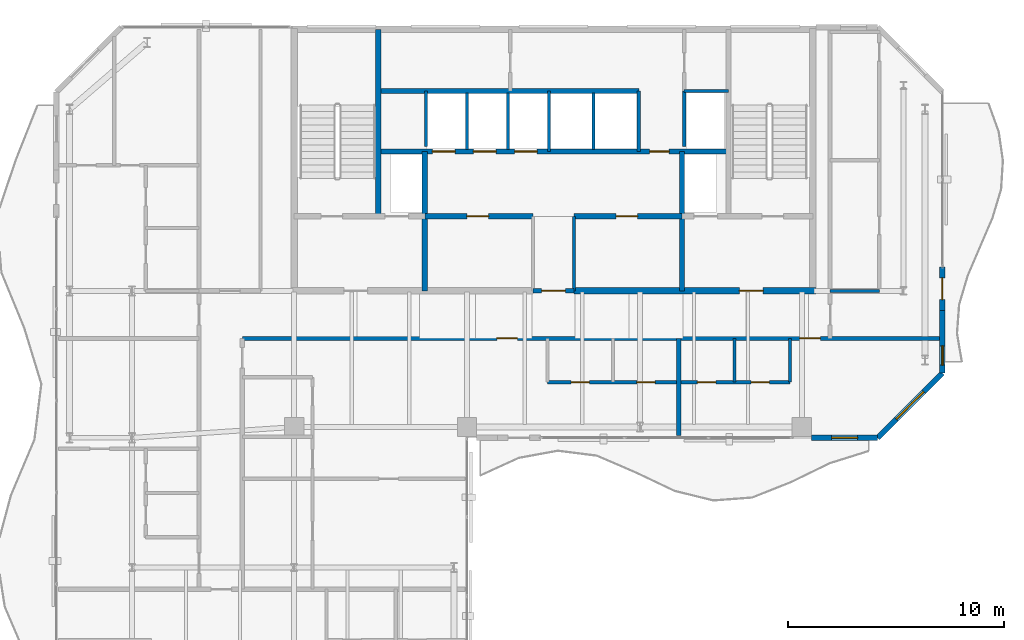
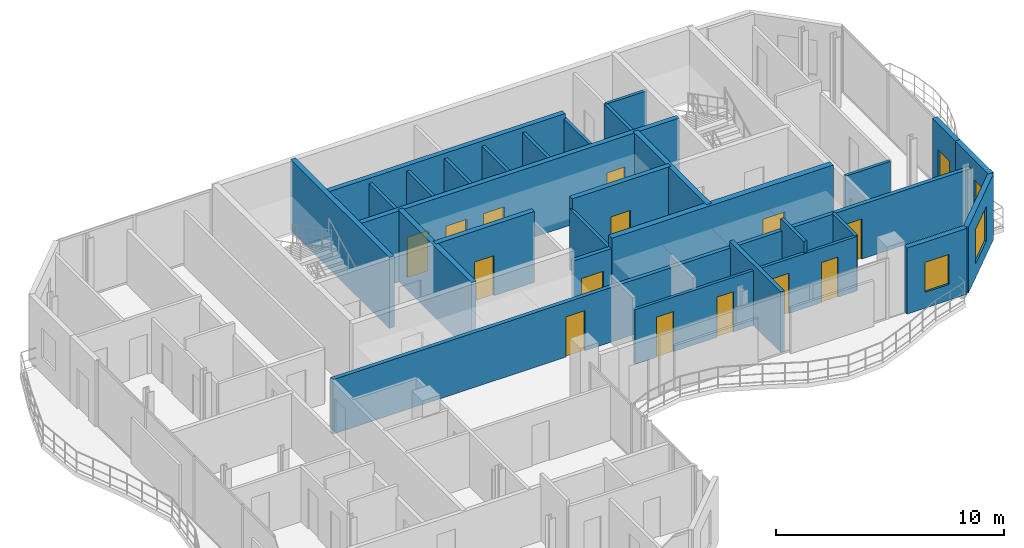
# One storey, part 19 of 22: 28 walls, 15 doors, 3 windows, 18 openings.
"""IFC4 building model written with IfcOpenShell, lengths in metres."""

from ifc_helpers import new_model, si_unit, direction, frame, frame_2d, origin, place, context, subcontext, project, spatial, rectangle, extrude, material, layer, layer_set, type_object, element, fill, save


model = new_model("IFC4")

# Units and contexts
model_context = context("Model", 3, precision=1e-05, world=origin(), true_north=direction((0.0, 1.0)))
body_context = subcontext(model_context, "Body", "Model", "MODEL_VIEW")
ifc_project = project(units=[si_unit("LENGTHUNIT", "METRE"), si_unit("AREAUNIT", "SQUARE_METRE"), si_unit("VOLUMEUNIT", "CUBIC_METRE"), si_unit("PLANEANGLEUNIT", "RADIAN"), si_unit("MASSUNIT", "GRAM", prefix="KILO")], contexts=[model_context])

# Site, building, storey
site_placement = place(None, origin())
site = spatial("IfcSite", under=ifc_project, at=site_placement, CompositionType="ELEMENT")
building_placement = place(site_placement, origin())
building = spatial("IfcBuilding", under=site, at=building_placement, Name="Catumbela Crestline Tower", CompositionType="ELEMENT")
storey_placement = place(building_placement, frame((0.0, 0.0, 218.4)))
storey = spatial("IfcBuildingStorey", under=building, at=storey_placement, Name="L56", CompositionType="ELEMENT", Elevation=218.4)

# Walls
ifc_material_1 = material(Name="Concrete C50/60", Category="concrete")
ifc_layer_1 = layer(ifc_material_1, 0.25, Name="Concrete C50/60")
ifc_layer_set_1 = layer_set([ifc_layer_1], Name="Concrete C50/60")
wall_type_1 = type_object("IfcWallType", Name="CW-250D", PredefinedType="SHEAR", material=ifc_layer_set_1)
wall_1_placement = place(storey_placement, frame((19.9, 34.25, 0.0), z_axis=(0.0, 0.0, 1.0), x_axis=(0.0, 1.0, 0.0)))
element("IfcWall", 1, at=wall_1_placement, inside=storey, type_object=wall_type_1, Name="L56 Structural Core Shear Wall WWEB", PredefinedType="SHEAR", context=body_context, shape_type="SweptSolid", body=[
    extrude(rectangle(XDim=8.65, YDim=0.25, at=frame_2d((4.325, 0.0))), origin(), (0.0, 0.0, 1.0), 3.8),
])
for number, where, z_axis, x_axis, name in (
    (2, (22.05, 30.8, 0.0), (0.0, 0.0, 1.0), (0.0, 1.0, 0.0), "L56 Structural Core Shear Wall FFW"),
    (3, (33.95, 30.8, 0.0), (0.0, 0.0, 1.0), (0.0, 1.0, 0.0), "L56 Structural Core Shear Wall FFE"),
):
    element("IfcWall", number, at=place(storey_placement, frame(where, z_axis=z_axis, x_axis=x_axis)), inside=storey, type_object=wall_type_1, Name=name, PredefinedType="SHEAR", context=body_context, shape_type="SweptSolid", body=[
        extrude(rectangle(XDim=6.45, YDim=0.25, at=frame_2d((3.225, 0.0))), origin(), (0.0, 0.0, 1.0), 3.8),
    ])

# Wall, opening, door
wall_2_placement = place(storey_placement, frame((22.05, 34.25, 0.0), z_axis=(0.0, 0.0, 1.0), x_axis=(1.0, 0.0, 0.0)))
wall_2 = element("IfcWall", 4, at=wall_2_placement, inside=storey, type_object=wall_type_1, Name="L56 Structural Core Shear Wall LIFTS-W", PredefinedType="SHEAR", context=body_context, shape_type="SweptSolid", body=[
    extrude(rectangle(XDim=5.0, YDim=0.25, at=frame_2d((2.5, 0.0))), origin(), (0.0, 0.0, 1.0), 3.8),
])
opening_1_placement = place(wall_2_placement, frame((1.95, 0.0, 0.0)))
opening_1 = element("IfcOpeningElement", 5, at=opening_1_placement, cuts=wall_2, Name="Opening DF9-100", PredefinedType="OPENING", context=body_context, shape_type="SweptSolid", body=[
    extrude(rectangle(XDim=1.0, YDim=2.15, at=frame_2d((0.5, 1.075))), frame((0.0, 0.135, 0.0), z_axis=(0.0, -1.0, 0.0), x_axis=(1.0, 0.0, 0.0)), (0.0, 0.0, 1.0), 0.27),
])
ifc_material_2 = material(Name="Stainless steel EN 1.4401", Category="steel")
door_type_1 = type_object("IfcDoorType", Name="DF9-100", OperationType="NOTDEFINED", PredefinedType="DOOR", material=ifc_material_2)
door_1_placement = place(opening_1_placement, origin())
door_1 = element("IfcDoor", 6, at=door_1_placement, inside=storey, type_object=door_type_1, Name="L56 Interior Door DR-L56-RECL1", OperationType="SINGLE_SWING_LEFT", OverallHeight=2.15, OverallWidth=1.0, PredefinedType="DOOR", context=body_context, shape_type="SweptSolid", body=[
    extrude(rectangle(XDim=1.0, YDim=2.15, at=frame_2d((0.5, 1.075))), frame((0.0, 0.025, 0.0), z_axis=(0.0, -1.0, 0.0), x_axis=(1.0, 0.0, 0.0)), (0.0, 0.0, 1.0), 0.05),
])
fill(opening_1, door_1)

wall_3_placement = place(storey_placement, frame((28.95, 34.25, 0.0), z_axis=(0.0, 0.0, 1.0), x_axis=(1.0, 0.0, 0.0)))
wall_3 = element("IfcWall", 7, at=wall_3_placement, inside=storey, type_object=wall_type_1, Name="L56 Structural Core Shear Wall LIFTS-E", PredefinedType="SHEAR", context=body_context, shape_type="SweptSolid", body=[
    extrude(rectangle(XDim=5.0, YDim=0.25, at=frame_2d((2.5, 0.0))), origin(), (0.0, 0.0, 1.0), 3.8),
])
opening_2_placement = place(wall_3_placement, frame((1.95, 0.0, 0.0)))
opening_2 = element("IfcOpeningElement", 8, at=opening_2_placement, cuts=wall_3, Name="Opening DF9-100", PredefinedType="OPENING", context=body_context, shape_type="SweptSolid", body=[
    extrude(rectangle(XDim=1.0, YDim=2.15, at=frame_2d((0.5, 1.075))), frame((0.0, 0.135, 0.0), z_axis=(0.0, -1.0, 0.0), x_axis=(1.0, 0.0, 0.0)), (0.0, 0.0, 1.0), 0.27),
])
door_2_placement = place(opening_2_placement, origin())
door_2 = element("IfcDoor", 9, at=door_2_placement, inside=storey, type_object=door_type_1, Name="L56 Interior Door DR-L56-RECL2", OperationType="SINGLE_SWING_RIGHT", OverallHeight=2.15, OverallWidth=1.0, PredefinedType="DOOR", context=body_context, shape_type="SweptSolid", body=[
    extrude(rectangle(XDim=1.0, YDim=2.15, at=frame_2d((0.5, 1.075))), frame((0.0, 0.025, 0.0), z_axis=(0.0, -1.0, 0.0), x_axis=(1.0, 0.0, 0.0)), (0.0, 0.0, 1.0), 0.05),
])
fill(opening_2, door_2)

# Wall, openings, doors
wall_4_placement = place(storey_placement, frame((19.9, 37.25, 0.0), z_axis=(0.0, 0.0, 1.0), x_axis=(1.0, 0.0, 0.0)))
wall_4 = element("IfcWall", 10, at=wall_4_placement, inside=storey, type_object=wall_type_1, Name="L56 Structural Core Shear Wall LIFTN", PredefinedType="SHEAR", context=body_context, shape_type="SweptSolid", body=[
    extrude(rectangle(XDim=16.2, YDim=0.25, at=frame_2d((8.1, 0.0))), origin(), (0.0, 0.0, 1.0), 3.8),
])
opening_3_placement = place(wall_4_placement, frame((12.55, 0.0, 0.0)))
opening_3 = element("IfcOpeningElement", 11, at=opening_3_placement, cuts=wall_4, Name="Opening DF9-090", PredefinedType="OPENING", context=body_context, shape_type="SweptSolid", body=[
    extrude(rectangle(XDim=0.9, YDim=2.15, at=frame_2d((0.45, 1.075))), frame((0.0, 0.135, 0.0), z_axis=(0.0, -1.0, 0.0), x_axis=(1.0, 0.0, 0.0)), (0.0, 0.0, 1.0), 0.27),
])
opening_4_placement = place(wall_4_placement, frame((2.5, 0.0, 0.0)))
opening_4 = element("IfcOpeningElement", 12, at=opening_4_placement, cuts=wall_4, Name="Opening LD-105", PredefinedType="OPENING", context=body_context, shape_type="SweptSolid", body=[
    extrude(rectangle(XDim=1.05, YDim=2.15, at=frame_2d((0.525, 1.075))), frame((0.0, 0.135, 0.0), z_axis=(0.0, -1.0, 0.0), x_axis=(1.0, 0.0, 0.0)), (0.0, 0.0, 1.0), 0.27),
])
opening_5_placement = place(wall_4_placement, frame((4.4, 0.0, 0.0)))
opening_5 = element("IfcOpeningElement", 13, at=opening_5_placement, cuts=wall_4, Name="Opening LD-105", PredefinedType="OPENING", context=body_context, shape_type="SweptSolid", body=[
    extrude(rectangle(XDim=1.05, YDim=2.15, at=frame_2d((0.525, 1.075))), frame((0.0, 0.135, 0.0), z_axis=(0.0, -1.0, 0.0), x_axis=(1.0, 0.0, 0.0)), (0.0, 0.0, 1.0), 0.27),
])
opening_6_placement = place(wall_4_placement, frame((6.3, 0.0, 0.0)))
opening_6 = element("IfcOpeningElement", 14, at=opening_6_placement, cuts=wall_4, Name="Opening LD-105", PredefinedType="OPENING", context=body_context, shape_type="SweptSolid", body=[
    extrude(rectangle(XDim=1.05, YDim=2.15, at=frame_2d((0.525, 1.075))), frame((0.0, 0.135, 0.0), z_axis=(0.0, -1.0, 0.0), x_axis=(1.0, 0.0, 0.0)), (0.0, 0.0, 1.0), 0.27),
])
door_type_2 = type_object("IfcDoorType", Name="DF9-090", OperationType="NOTDEFINED", PredefinedType="DOOR", material=ifc_material_2)
door_3_placement = place(opening_3_placement, origin())
door_3 = element("IfcDoor", 15, at=door_3_placement, inside=storey, type_object=door_type_2, Name="L56 Interior Door DR-L56-CPAS1", OperationType="SINGLE_SWING_LEFT", OverallHeight=2.15, OverallWidth=0.9, PredefinedType="DOOR", context=body_context, shape_type="SweptSolid", body=[
    extrude(rectangle(XDim=0.9, YDim=2.15, at=frame_2d((0.45, 1.075))), frame((0.0, 0.025, 0.0), z_axis=(0.0, -1.0, 0.0), x_axis=(1.0, 0.0, 0.0)), (0.0, 0.0, 1.0), 0.05),
])
fill(opening_3, door_3)
door_type_3 = type_object("IfcDoorType", Name="LD-105", OperationType="NOTDEFINED", PredefinedType="DOOR", material=ifc_material_2)
door_4_placement = place(opening_4_placement, origin())
door_4 = element("IfcDoor", 16, at=door_4_placement, inside=storey, type_object=door_type_3, Name="L56 Lift Landing Sliding Door PL-H1", OperationType="DOUBLE_DOOR_SLIDING", OverallHeight=2.15, OverallWidth=1.05, PredefinedType="DOOR", context=body_context, shape_type="SweptSolid", body=[
    extrude(rectangle(XDim=1.05, YDim=2.15, at=frame_2d((0.525, 1.075))), frame((0.0, 0.025, 0.0), z_axis=(0.0, -1.0, 0.0), x_axis=(1.0, 0.0, 0.0)), (0.0, 0.0, 1.0), 0.05),
])
fill(opening_4, door_4)
door_5_placement = place(opening_5_placement, origin())
door_5 = element("IfcDoor", 17, at=door_5_placement, inside=storey, type_object=door_type_3, Name="L56 Lift Landing Sliding Door PL-H2", OperationType="DOUBLE_DOOR_SLIDING", OverallHeight=2.15, OverallWidth=1.05, PredefinedType="DOOR", context=body_context, shape_type="SweptSolid", body=[
    extrude(rectangle(XDim=1.05, YDim=2.15, at=frame_2d((0.525, 1.075))), frame((0.0, 0.025, 0.0), z_axis=(0.0, -1.0, 0.0), x_axis=(1.0, 0.0, 0.0)), (0.0, 0.0, 1.0), 0.05),
])
fill(opening_5, door_5)
door_6_placement = place(opening_6_placement, origin())
door_6 = element("IfcDoor", 18, at=door_6_placement, inside=storey, type_object=door_type_3, Name="L56 Lift Landing Sliding Door PL-H3", OperationType="DOUBLE_DOOR_SLIDING", OverallHeight=2.15, OverallWidth=1.05, PredefinedType="DOOR", context=body_context, shape_type="SweptSolid", body=[
    extrude(rectangle(XDim=1.05, YDim=2.15, at=frame_2d((0.525, 1.075))), frame((0.0, 0.025, 0.0), z_axis=(0.0, -1.0, 0.0), x_axis=(1.0, 0.0, 0.0)), (0.0, 0.0, 1.0), 0.05),
])
fill(opening_6, door_6)

# Wall
wall_5_placement = place(storey_placement, frame((19.9, 40.05, 0.0), z_axis=(0.0, 0.0, 1.0), x_axis=(1.0, 0.0, 0.0)))
element("IfcWall", 19, at=wall_5_placement, inside=storey, type_object=wall_type_1, Name="L56 Structural Core Shear Wall COREN", PredefinedType="SHEAR", context=body_context, shape_type="SweptSolid", body=[
    extrude(rectangle(XDim=12.05, YDim=0.25, at=frame_2d((6.025, 0.0))), origin(), (0.0, 0.0, 1.0), 3.8),
])

# Wall, opening, door
ifc_material_3 = material(Name="Concrete C45/55", Category="concrete")
ifc_layer_2 = layer(ifc_material_3, 0.3, Name="Concrete C45/55")
ifc_layer_set_2 = layer_set([ifc_layer_2], Name="Concrete C45/55")
wall_type_2 = type_object("IfcWallType", Name="CW-300C", PredefinedType="SHEAR", material=ifc_layer_set_2)
wall_6_placement = place(storey_placement, frame((28.95, 30.8, 0.0), z_axis=(0.0, 0.0, 1.0), x_axis=(1.0, 0.0, 0.0)))
wall_6 = element("IfcWall", 20, at=wall_6_placement, inside=storey, type_object=wall_type_2, Name="L56 Structural Core Shear Wall SE", PredefinedType="SHEAR", context=body_context, shape_type="SweptSolid", body=[
    extrude(rectangle(XDim=11.2, YDim=0.3, at=frame_2d((5.6, 0.0))), origin(), (0.0, 0.0, 1.0), 3.8),
])
opening_7_placement = place(wall_6_placement, frame((7.65, 0.0, 0.0)))
opening_7 = element("IfcOpeningElement", 21, at=opening_7_placement, cuts=wall_6, Name="Opening DF9-110", PredefinedType="OPENING", context=body_context, shape_type="SweptSolid", body=[
    extrude(rectangle(XDim=1.1, YDim=2.15, at=frame_2d((0.55, 1.075))), frame((0.0, 0.16, 0.0), z_axis=(0.0, -1.0, 0.0), x_axis=(1.0, 0.0, 0.0)), (0.0, 0.0, 1.0), 0.32),
])
door_type_4 = type_object("IfcDoorType", Name="DF9-110", OperationType="NOTDEFINED", PredefinedType="DOOR", material=ifc_material_2)
door_7_placement = place(opening_7_placement, origin())
door_7 = element("IfcDoor", 22, at=door_7_placement, inside=storey, type_object=door_type_4, Name="L56 Interior Door DR-L56-FFE-S", OperationType="SINGLE_SWING_RIGHT", OverallHeight=2.15, OverallWidth=1.1, PredefinedType="DOOR", context=body_context, shape_type="SweptSolid", body=[
    extrude(rectangle(XDim=1.1, YDim=2.15, at=frame_2d((0.55, 1.075))), frame((0.0, 0.025, 0.0), z_axis=(0.0, -1.0, 0.0), x_axis=(1.0, 0.0, 0.0)), (0.0, 0.0, 1.0), 0.05),
])
fill(opening_7, door_7)

ifc_material_4 = material(Name="Acoustic gypsum and mineral-wool partition")
ifc_layer_3 = layer(ifc_material_4, 0.2, Name="Acoustic gypsum and mineral-wool partition")
ifc_layer_set_3 = layer_set([ifc_layer_3], Name="Acoustic gypsum and mineral-wool partition")
wall_type_3 = type_object("IfcWallType", Name="WC-200", PredefinedType="PARTITIONING", material=ifc_layer_set_3)
wall_7_placement = place(storey_placement, frame((27.05, 30.8, 0.0), z_axis=(0.0, 0.0, 1.0), x_axis=(1.0, 0.0, 0.0)))
wall_7 = element("IfcWall", 23, at=wall_7_placement, inside=storey, type_object=wall_type_3, Name="L56 Interior Partition PW-L56-CLOBS", PredefinedType="PARTITIONING", context=body_context, shape_type="SweptSolid", body=[
    extrude(rectangle(XDim=1.9, YDim=0.2, at=frame_2d((0.95, 0.0))), origin(), (0.0, 0.0, 1.0), 3.22),
])
opening_8_placement = place(wall_7_placement, frame((0.4, 0.0, 0.0)))
opening_8 = element("IfcOpeningElement", 24, at=opening_8_placement, cuts=wall_7, Name="Opening DF9-110", PredefinedType="OPENING", context=body_context, shape_type="SweptSolid", body=[
    extrude(rectangle(XDim=1.1, YDim=2.15, at=frame_2d((0.55, 1.075))), frame((0.0, 0.11, 0.0), z_axis=(0.0, -1.0, 0.0), x_axis=(1.0, 0.0, 0.0)), (0.0, 0.0, 1.0), 0.22),
])
door_8_placement = place(opening_8_placement, origin())
door_8 = element("IfcDoor", 25, at=door_8_placement, inside=storey, type_object=door_type_4, Name="L56 Interior Door DR-L56-CLOBS", OperationType="SINGLE_SWING_LEFT", OverallHeight=2.15, OverallWidth=1.1, PredefinedType="DOOR", context=body_context, shape_type="SweptSolid", body=[
    extrude(rectangle(XDim=1.1, YDim=2.15, at=frame_2d((0.55, 1.075))), frame((0.0, 0.025, 0.0), z_axis=(0.0, -1.0, 0.0), x_axis=(1.0, 0.0, 0.0)), (0.0, 0.0, 1.0), 0.05),
])
fill(opening_8, door_8)

# Wall, openings, doors
wall_8_placement = place(storey_placement, frame((13.6, 28.6, 0.0), z_axis=(0.0, 0.0, 1.0), x_axis=(1.0, 0.0, 0.0)))
wall_8 = element("IfcWall", 26, at=wall_8_placement, inside=storey, type_object=wall_type_3, Name="L56 Interior Partition PW-L56-RCWR", PredefinedType="PARTITIONING", context=body_context, shape_type="SweptSolid", body=[
    extrude(rectangle(XDim=32.3, YDim=0.2, at=frame_2d((16.15, 0.0))), origin(), (0.0, 0.0, 1.0), 2.92),
])
opening_9_placement = place(wall_8_placement, frame((11.787, 0.0, 0.0)))
opening_9 = element("IfcOpeningElement", 27, at=opening_9_placement, cuts=wall_8, Name="Opening DF6-095", PredefinedType="OPENING", context=body_context, shape_type="SweptSolid", body=[
    extrude(rectangle(XDim=0.95, YDim=2.15, at=frame_2d((0.475, 1.075))), frame((0.0, 0.11, 0.0), z_axis=(0.0, -1.0, 0.0), x_axis=(1.0, 0.0, 0.0)), (0.0, 0.0, 1.0), 0.22),
])
opening_10_placement = place(wall_8_placement, frame((25.8, 0.0, 0.0)))
opening_10 = element("IfcOpeningElement", 28, at=opening_10_placement, cuts=wall_8, Name="Opening DF6-095", PredefinedType="OPENING", context=body_context, shape_type="SweptSolid", body=[
    extrude(rectangle(XDim=0.95, YDim=2.15, at=frame_2d((0.475, 1.075))), frame((0.0, 0.11, 0.0), z_axis=(0.0, -1.0, 0.0), x_axis=(1.0, 0.0, 0.0)), (0.0, 0.0, 1.0), 0.22),
])
ifc_material_5 = material(Name="Aluminium alloy AW-6060-T66", Category="aluminium")
door_type_5 = type_object("IfcDoorType", Name="DF6-095", OperationType="NOTDEFINED", PredefinedType="DOOR", material=ifc_material_5)
door_9_placement = place(opening_9_placement, origin())
door_9 = element("IfcDoor", 29, at=door_9_placement, inside=storey, type_object=door_type_5, Name="L56 Interior Door DR-L56-S1-ENT", OperationType="SINGLE_SWING_LEFT", OverallHeight=2.15, OverallWidth=0.95, PredefinedType="DOOR", context=body_context, shape_type="SweptSolid", body=[
    extrude(rectangle(XDim=0.95, YDim=2.15, at=frame_2d((0.475, 1.075))), frame((0.0, 0.025, 0.0), z_axis=(0.0, -1.0, 0.0), x_axis=(1.0, 0.0, 0.0)), (0.0, 0.0, 1.0), 0.05),
])
fill(opening_9, door_9)
door_10_placement = place(opening_10_placement, origin())
door_10 = element("IfcDoor", 30, at=door_10_placement, inside=storey, type_object=door_type_5, Name="L56 Interior Door DR-L56-S2-ENT", OperationType="SINGLE_SWING_RIGHT", OverallHeight=2.15, OverallWidth=0.95, PredefinedType="DOOR", context=body_context, shape_type="SweptSolid", body=[
    extrude(rectangle(XDim=0.95, YDim=2.15, at=frame_2d((0.475, 1.075))), frame((0.0, 0.025, 0.0), z_axis=(0.0, -1.0, 0.0), x_axis=(1.0, 0.0, 0.0)), (0.0, 0.0, 1.0), 0.05),
])
fill(opening_10, door_10)

# Wall, opening, window
ifc_material_6 = material(Name="Angolan grey-ochre granite", Category="masonry")
ifc_layer_4 = layer(ifc_material_6, 0.25, Name="Angolan grey-ochre granite")
ifc_layer_set_4 = layer_set([ifc_layer_4], Name="Angolan grey-ochre granite")
wall_type_4 = type_object("IfcWallType", Name="WE-250", PredefinedType="STANDARD", material=ifc_layer_set_4)
wall_9_placement = place(storey_placement, frame((39.95, 24.0, 0.0), z_axis=(0.0, 0.0, 1.0), x_axis=(1.0, 0.0, 0.0)))
wall_9 = element("IfcWall", 31, at=wall_9_placement, inside=storey, type_object=wall_type_4, Name="L56 Granite Punched Window Wall 3-3", PredefinedType="STANDARD", context=body_context, shape_type="SweptSolid", body=[
    extrude(rectangle(XDim=3.05, YDim=0.25, at=frame_2d((1.525, 0.0))), origin(), (0.0, 0.0, 1.0), 3.53),
])
opening_11_placement = place(wall_9_placement, frame((0.925, 0.0, 0.85)))
opening_11 = element("IfcOpeningElement", 32, at=opening_11_placement, cuts=wall_9, Name="Opening WN-02", PredefinedType="OPENING", context=body_context, shape_type="SweptSolid", body=[
    extrude(rectangle(XDim=1.2, YDim=1.6, at=frame_2d((0.6, 0.8))), frame((0.0, 0.135, 0.0), z_axis=(0.0, -1.0, 0.0), x_axis=(1.0, 0.0, 0.0)), (0.0, 0.0, 1.0), 0.27),
])
ifc_material_7 = material(Name="Low-E laminated solar-control double glazing", Category="glass")
window_type_1 = type_object("IfcWindowType", Name="WO-1200", PartitioningType="SINGLE_PANEL", PredefinedType="WINDOW", material=ifc_material_7)
window_1_placement = place(opening_11_placement, origin())
window_1 = element("IfcWindow", 33, at=window_1_placement, inside=storey, type_object=window_type_1, Name="L56 Facade Vision Window 382", OverallHeight=1.6, OverallWidth=1.2, PartitioningType="SINGLE_PANEL", PredefinedType="WINDOW", context=body_context, shape_type="SweptSolid", body=[
    extrude(rectangle(XDim=1.2, YDim=1.6, at=frame_2d((0.6, 0.8))), frame((0.0, 0.03, 0.0), z_axis=(0.0, -1.0, 0.0), x_axis=(1.0, 0.0, 0.0)), (0.0, 0.0, 1.0), 0.06),
])
fill(opening_11, window_1)

wall_10_placement = place(storey_placement, frame((43.0, 24.0, 0.0), z_axis=(0.0, 0.0, 1.0), x_axis=(0.707106781187, 0.707106781187, 0.0)))
wall_10 = element("IfcWall", 34, at=wall_10_placement, inside=storey, type_object=wall_type_4, Name="L56 Granite Punched Window Wall 4-1", PredefinedType="STANDARD", context=body_context, shape_type="SweptSolid", body=[
    extrude(rectangle(XDim=4.2426, YDim=0.25, at=frame_2d((2.1213, 0.0))), origin(), (0.0, 0.0, 1.0), 3.53),
])
opening_12_placement = place(wall_10_placement, frame((1.2213, 0.0, 0.75)))
opening_12 = element("IfcOpeningElement", 35, at=opening_12_placement, cuts=wall_10, Name="Opening WN-01", PredefinedType="OPENING", context=body_context, shape_type="SweptSolid", body=[
    extrude(rectangle(XDim=1.8, YDim=1.85, at=frame_2d((0.9, 0.925))), frame((0.0, 0.135, 0.0), z_axis=(0.0, -1.0, 0.0), x_axis=(1.0, 0.0, 0.0)), (0.0, 0.0, 1.0), 0.27),
])
window_type_2 = type_object("IfcWindowType", Name="WF-1800", PartitioningType="SINGLE_PANEL", PredefinedType="WINDOW", material=ifc_material_7)
window_2_placement = place(opening_12_placement, origin())
window_2 = element("IfcWindow", 36, at=window_2_placement, inside=storey, type_object=window_type_2, Name="L56 Facade Vision Window 383", OverallHeight=1.85, OverallWidth=1.8, PartitioningType="SINGLE_PANEL", PredefinedType="WINDOW", context=body_context, shape_type="SweptSolid", body=[
    extrude(rectangle(XDim=1.8, YDim=1.85, at=frame_2d((0.9, 0.925))), frame((0.0, 0.03, 0.0), z_axis=(0.0, -1.0, 0.0), x_axis=(1.0, 0.0, 0.0)), (0.0, 0.0, 1.0), 0.06),
])
fill(opening_12, window_2)

# Wall, opening, door
wall_11_placement = place(storey_placement, frame((46.0, 29.9, 0.0), z_axis=(0.0, 0.0, 1.0), x_axis=(0.0, 1.0, 0.0)))
wall_11 = element("IfcWall", 37, at=wall_11_placement, inside=storey, type_object=wall_type_4, Name="L56 Exterior Threshold Portal Wall DR-L56-WBAL-2", PredefinedType="STANDARD", context=body_context, shape_type="SweptSolid", body=[
    extrude(rectangle(XDim=2.0, YDim=0.25, at=frame_2d((1.0, 0.0))), origin(), (0.0, 0.0, 1.0), 3.53),
])
opening_13_placement = place(wall_11_placement, frame((0.5, 0.0, 0.0)))
opening_13 = element("IfcOpeningElement", 38, at=opening_13_placement, cuts=wall_11, Name="Opening DB-L56-2", PredefinedType="OPENING", context=body_context, shape_type="SweptSolid", body=[
    extrude(rectangle(XDim=1.0, YDim=2.15, at=frame_2d((0.5, 1.075))), frame((0.0, 0.135, 0.0), z_axis=(0.0, -1.0, 0.0), x_axis=(1.0, 0.0, 0.0)), (0.0, 0.0, 1.0), 0.27),
])
door_type_6 = type_object("IfcDoorType", Name="DB-1000", OperationType="NOTDEFINED", PredefinedType="DOOR", material=ifc_material_5)
door_11_placement = place(opening_13_placement, origin())
door_11 = element("IfcDoor", 39, at=door_11_placement, inside=storey, type_object=door_type_6, Name="L56 Wave Balcony Terrace Door 2", OperationType="SINGLE_SWING_LEFT", OverallHeight=2.15, OverallWidth=1.0, PredefinedType="DOOR", context=body_context, shape_type="SweptSolid", body=[
    extrude(rectangle(XDim=1.0, YDim=2.15, at=frame_2d((0.5, 1.075))), frame((0.0, 0.025, 0.0), z_axis=(0.0, -1.0, 0.0), x_axis=(1.0, 0.0, 0.0)), (0.0, 0.0, 1.0), 0.05),
])
fill(opening_13, door_11)

# Wall, opening, window
wall_12_placement = place(storey_placement, frame((46.0, 27.0, 0.0), z_axis=(0.0, 0.0, 1.0), x_axis=(0.0, 1.0, 0.0)))
wall_12 = element("IfcWall", 40, at=wall_12_placement, inside=storey, type_object=wall_type_4, Name="L56 Granite Punched Window Wall 5-1", PredefinedType="STANDARD", context=body_context, shape_type="SweptSolid", body=[
    extrude(rectangle(XDim=2.9, YDim=0.25, at=frame_2d((1.45, 0.0))), origin(), (0.0, 0.0, 1.0), 3.53),
])
opening_14_placement = place(wall_12_placement, frame((0.36, 0.0, 0.9)))
opening_14 = element("IfcOpeningElement", 41, at=opening_14_placement, cuts=wall_12, Name="Opening WN-03", PredefinedType="OPENING", context=body_context, shape_type="SweptSolid", body=[
    extrude(rectangle(XDim=0.9, YDim=1.55, at=frame_2d((0.45, 0.775))), frame((0.0, 0.135, 0.0), z_axis=(0.0, -1.0, 0.0), x_axis=(1.0, 0.0, 0.0)), (0.0, 0.0, 1.0), 0.27),
])
window_type_3 = type_object("IfcWindowType", Name="WO-0900", PartitioningType="SINGLE_PANEL", PredefinedType="WINDOW", material=ifc_material_7)
window_3_placement = place(opening_14_placement, origin())
window_3 = element("IfcWindow", 42, at=window_3_placement, inside=storey, type_object=window_type_3, Name="L56 Facade Vision Window 384", OverallHeight=1.55, OverallWidth=0.9, PartitioningType="SINGLE_PANEL", PredefinedType="WINDOW", context=body_context, shape_type="SweptSolid", body=[
    extrude(rectangle(XDim=0.9, YDim=1.55, at=frame_2d((0.45, 0.775))), frame((0.0, 0.03, 0.0), z_axis=(0.0, -1.0, 0.0), x_axis=(1.0, 0.0, 0.0)), (0.0, 0.0, 1.0), 0.06),
])
fill(opening_14, window_3)

# Walls
ifc_layer_5 = layer(ifc_material_4, 0.15, Name="Acoustic gypsum and mineral-wool partition")
ifc_layer_set_5 = layer_set([ifc_layer_5], Name="Acoustic gypsum and mineral-wool partition")
wall_type_5 = type_object("IfcWallType", Name="WP-150", PredefinedType="PARTITIONING", material=ifc_layer_set_5)
wall_13_placement = place(storey_placement, frame((34.05, 40.05, 0.0), z_axis=(0.0, 0.0, 1.0), x_axis=(1.0, 0.0, 0.0)))
element("IfcWall", 43, at=wall_13_placement, inside=storey, type_object=wall_type_5, Name="L56 Interior Partition PW-L56-CR-ES", PredefinedType="PARTITIONING", context=body_context, shape_type="SweptSolid", body=[
    extrude(rectangle(XDim=2.05, YDim=0.15, at=frame_2d((1.025, 0.0))), origin(), (0.0, 0.0, 1.0), 3.53),
])
wall_14_placement = place(storey_placement, frame((40.8, 30.8, 0.0), z_axis=(0.0, 0.0, 1.0), x_axis=(1.0, 0.0, 0.0)))
element("IfcWall", 44, at=wall_14_placement, inside=storey, type_object=wall_type_5, Name="L56 Interior Partition PW-L56-NE1-KBS", PredefinedType="PARTITIONING", context=body_context, shape_type="SweptSolid", body=[
    extrude(rectangle(XDim=2.28, YDim=0.15, at=frame_2d((1.14, 0.0))), origin(), (0.0, 0.0, 1.0), 2.92),
])

# Wall, openings, doors
wall_15_placement = place(storey_placement, frame((27.724, 26.576, 0.0), z_axis=(0.0, 0.0, 1.0), x_axis=(1.0, 0.0, 0.0)))
wall_15 = element("IfcWall", 45, at=wall_15_placement, inside=storey, type_object=wall_type_5, Name="L56 Interior Partition PW-L56-S1-KBD1", PredefinedType="PARTITIONING", context=body_context, shape_type="SweptSolid", body=[
    extrude(rectangle(XDim=11.226, YDim=0.15, at=frame_2d((5.613, 0.0))), origin(), (0.0, 0.0, 1.0), 2.92),
])
opening_15_placement = place(wall_15_placement, frame((1.094, 0.0, 0.0)))
opening_15 = element("IfcOpeningElement", 46, at=opening_15_placement, cuts=wall_15, Name="Opening DI-085", PredefinedType="OPENING", context=body_context, shape_type="SweptSolid", body=[
    extrude(rectangle(XDim=0.85, YDim=2.15, at=frame_2d((0.425, 1.075))), frame((0.0, 0.085, 0.0), z_axis=(0.0, -1.0, 0.0), x_axis=(1.0, 0.0, 0.0)), (0.0, 0.0, 1.0), 0.17),
])
opening_16_placement = place(wall_15_placement, frame((4.132, 0.0, 0.0)))
opening_16 = element("IfcOpeningElement", 47, at=opening_16_placement, cuts=wall_15, Name="Opening DI-085", PredefinedType="OPENING", context=body_context, shape_type="SweptSolid", body=[
    extrude(rectangle(XDim=0.85, YDim=2.15, at=frame_2d((0.425, 1.075))), frame((0.0, 0.085, 0.0), z_axis=(0.0, -1.0, 0.0), x_axis=(1.0, 0.0, 0.0)), (0.0, 0.0, 1.0), 0.17),
])
opening_17_placement = place(wall_15_placement, frame((6.9385, 0.0, 0.0)))
opening_17 = element("IfcOpeningElement", 48, at=opening_17_placement, cuts=wall_15, Name="Opening DI-085", PredefinedType="OPENING", context=body_context, shape_type="SweptSolid", body=[
    extrude(rectangle(XDim=0.85, YDim=2.15, at=frame_2d((0.425, 1.075))), frame((0.0, 0.085, 0.0), z_axis=(0.0, -1.0, 0.0), x_axis=(1.0, 0.0, 0.0)), (0.0, 0.0, 1.0), 0.17),
])
opening_18_placement = place(wall_15_placement, frame((9.4225, 0.0, 0.0)))
opening_18 = element("IfcOpeningElement", 49, at=opening_18_placement, cuts=wall_15, Name="Opening DI-085", PredefinedType="OPENING", context=body_context, shape_type="SweptSolid", body=[
    extrude(rectangle(XDim=0.85, YDim=2.15, at=frame_2d((0.425, 1.075))), frame((0.0, 0.085, 0.0), z_axis=(0.0, -1.0, 0.0), x_axis=(1.0, 0.0, 0.0)), (0.0, 0.0, 1.0), 0.17),
])
door_type_7 = type_object("IfcDoorType", Name="DI-085", OperationType="NOTDEFINED", PredefinedType="DOOR", material=ifc_material_5)
door_12_placement = place(opening_15_placement, origin())
door_12 = element("IfcDoor", 50, at=door_12_placement, inside=storey, type_object=door_type_7, Name="L56 Interior Door DR-L56-S1-BTH", OperationType="SINGLE_SWING_LEFT", OverallHeight=2.15, OverallWidth=0.85, PredefinedType="DOOR", context=body_context, shape_type="SweptSolid", body=[
    extrude(rectangle(XDim=0.85, YDim=2.15, at=frame_2d((0.425, 1.075))), frame((0.0, 0.025, 0.0), z_axis=(0.0, -1.0, 0.0), x_axis=(1.0, 0.0, 0.0)), (0.0, 0.0, 1.0), 0.05),
])
fill(opening_15, door_12)
door_13_placement = place(opening_16_placement, origin())
door_13 = element("IfcDoor", 51, at=door_13_placement, inside=storey, type_object=door_type_7, Name="L56 Interior Door DR-L56-S1-KIT", OperationType="SINGLE_SWING_RIGHT", OverallHeight=2.15, OverallWidth=0.85, PredefinedType="DOOR", context=body_context, shape_type="SweptSolid", body=[
    extrude(rectangle(XDim=0.85, YDim=2.15, at=frame_2d((0.425, 1.075))), frame((0.0, 0.025, 0.0), z_axis=(0.0, -1.0, 0.0), x_axis=(1.0, 0.0, 0.0)), (0.0, 0.0, 1.0), 0.05),
])
fill(opening_16, door_13)
door_14_placement = place(opening_17_placement, origin())
door_14 = element("IfcDoor", 52, at=door_14_placement, inside=storey, type_object=door_type_7, Name="L56 Interior Door DR-L56-S2-KIT", OperationType="SINGLE_SWING_LEFT", OverallHeight=2.15, OverallWidth=0.85, PredefinedType="DOOR", context=body_context, shape_type="SweptSolid", body=[
    extrude(rectangle(XDim=0.85, YDim=2.15, at=frame_2d((0.425, 1.075))), frame((0.0, 0.025, 0.0), z_axis=(0.0, -1.0, 0.0), x_axis=(1.0, 0.0, 0.0)), (0.0, 0.0, 1.0), 0.05),
])
fill(opening_17, door_14)
door_15_placement = place(opening_18_placement, origin())
door_15 = element("IfcDoor", 53, at=door_15_placement, inside=storey, type_object=door_type_7, Name="L56 Interior Door DR-L56-S2-BTH", OperationType="SINGLE_SWING_RIGHT", OverallHeight=2.15, OverallWidth=0.85, PredefinedType="DOOR", context=body_context, shape_type="SweptSolid", body=[
    extrude(rectangle(XDim=0.85, YDim=2.15, at=frame_2d((0.425, 1.075))), frame((0.0, 0.025, 0.0), z_axis=(0.0, -1.0, 0.0), x_axis=(1.0, 0.0, 0.0)), (0.0, 0.0, 1.0), 0.05),
])
fill(opening_18, door_15)

# Walls
wall_16_placement = place(storey_placement, frame((38.95, 26.576, 0.0), z_axis=(0.0, 0.0, 1.0), x_axis=(0.0, 1.0, 0.0)))
element("IfcWall", 54, at=wall_16_placement, inside=storey, type_object=wall_type_5, Name="L56 Interior Partition PW-L56-S2-KBE", PredefinedType="PARTITIONING", context=body_context, shape_type="SweptSolid", body=[
    extrude(rectangle(XDim=2.024, YDim=0.15, at=frame_2d((1.012, 0.0))), origin(), (0.0, 0.0, 1.0), 2.92),
])
wall_17_placement = place(storey_placement, frame((36.375, 26.576, 0.0), z_axis=(0.0, 0.0, 1.0), x_axis=(0.0, 1.0, 0.0)))
element("IfcWall", 55, at=wall_17_placement, inside=storey, type_object=wall_type_5, Name="L56 Interior Partition PW-L56-S2-KBM", PredefinedType="PARTITIONING", context=body_context, shape_type="SweptSolid", body=[
    extrude(rectangle(XDim=2.024, YDim=0.15, at=frame_2d((1.012, 0.0))), origin(), (0.0, 0.0, 1.0), 3.53),
])
ifc_layer_6 = layer(ifc_material_4, 0.2, Name="Acoustic gypsum and mineral-wool partition")
ifc_layer_set_6 = layer_set([ifc_layer_6], Name="Acoustic gypsum and mineral-wool partition")
wall_type_6 = type_object("IfcWallType", Name="WY-200", PredefinedType="PARTITIONING", material=ifc_layer_set_6)
wall_18_placement = place(storey_placement, frame((33.8, 24.1, 0.0), z_axis=(0.0, 0.0, 1.0), x_axis=(0.0, 1.0, 0.0)))
element("IfcWall", 56, at=wall_18_placement, inside=storey, type_object=wall_type_6, Name="L56 Interior Partition PW-L56-RSPP-2", PredefinedType="PARTITIONING", context=body_context, shape_type="SweptSolid", body=[
    extrude(rectangle(XDim=4.5, YDim=0.2, at=frame_2d((2.25, 0.0))), origin(), (0.0, 0.0, 1.0), 3.24),
])
ifc_layer_7 = layer(ifc_material_4, 0.15, Name="Acoustic gypsum and mineral-wool partition")
ifc_layer_set_7 = layer_set([ifc_layer_7], Name="Acoustic gypsum and mineral-wool partition")
wall_type_7 = type_object("IfcWallType", Name="WS-150", PredefinedType="PLUMBINGWALL", material=ifc_layer_set_7)
wall_19_placement = place(storey_placement, frame((28.95, 30.8, 0.0), z_axis=(0.0, 0.0, 1.0), x_axis=(0.0, 1.0, 0.0)))
element("IfcWall", 57, at=wall_19_placement, inside=storey, type_object=wall_type_7, Name="L56 Interior Partition PW-L56-THRE", PredefinedType="PLUMBINGWALL", context=body_context, shape_type="SweptSolid", body=[
    extrude(rectangle(XDim=3.45, YDim=0.15, at=frame_2d((1.725, 0.0))), origin(), (0.0, 0.0, 1.0), 3.22),
])
wall_20_placement = place(storey_placement, frame((22.1, 37.4897, 0.0), z_axis=(0.0, 0.0, 1.0), x_axis=(0.0, 1.0, 0.0)))
element("IfcWall", 58, at=wall_20_placement, inside=storey, type_object=wall_type_7, Name="L56 Interior Partition PW-L56-SHH0", PredefinedType="PLUMBINGWALL", context=body_context, shape_type="SweptSolid", body=[
    extrude(rectangle(XDim=2.5603, YDim=0.15, at=frame_2d((1.2801, 0.0))), origin(), (0.0, 0.0, 1.0), 3.53),
])
wall_21_placement = place(storey_placement, frame((27.8, 37.25, 0.0), z_axis=(0.0, 0.0, 1.0), x_axis=(0.0, 1.0, 0.0)))
element("IfcWall", 59, at=wall_21_placement, inside=storey, type_object=wall_type_7, Name="L56 Interior Partition PW-L56-SHH3", PredefinedType="PLUMBINGWALL", context=body_context, shape_type="SweptSolid", body=[
    extrude(rectangle(XDim=2.8, YDim=0.15, at=frame_2d((1.4, 0.0))), origin(), (0.0, 0.0, 1.0), 3.53),
])
for number, where, z_axis, x_axis, name in (
    (60, (24.0, 37.35, 0.0), (0.0, 0.0, 1.0), (0.0, 1.0, 0.0), "L56 Interior Partition PW-L56-SHH1"),
    (61, (25.9, 37.35, 0.0), (0.0, 0.0, 1.0), (0.0, 1.0, 0.0), "L56 Interior Partition PW-L56-SHH2"),
):
    element("IfcWall", number, at=place(storey_placement, frame(where, z_axis=z_axis, x_axis=x_axis)), inside=storey, type_object=wall_type_7, Name=name, PredefinedType="PLUMBINGWALL", context=body_context, shape_type="SweptSolid", body=[
        extrude(rectangle(XDim=2.6, YDim=0.15, at=frame_2d((1.3, 0.0))), origin(), (0.0, 0.0, 1.0), 3.53),
    ])
wall_22_placement = place(storey_placement, frame((31.95, 37.25, 0.0), z_axis=(0.0, 0.0, 1.0), x_axis=(0.0, 1.0, 0.0)))
element("IfcWall", 62, at=wall_22_placement, inside=storey, type_object=wall_type_7, Name="L56 Interior Partition PW-L56-SHEX2E", PredefinedType="PLUMBINGWALL", context=body_context, shape_type="SweptSolid", body=[
    extrude(rectangle(XDim=2.8, YDim=0.15, at=frame_2d((1.4, 0.0))), origin(), (0.0, 0.0, 1.0), 3.53),
])
wall_23_placement = place(storey_placement, frame((29.85, 37.35, 0.0), z_axis=(0.0, 0.0, 1.0), x_axis=(0.0, 1.0, 0.0)))
element("IfcWall", 63, at=wall_23_placement, inside=storey, type_object=wall_type_7, Name="L56 Interior Partition PW-L56-SHEX1", PredefinedType="PLUMBINGWALL", context=body_context, shape_type="SweptSolid", body=[
    extrude(rectangle(XDim=2.6, YDim=0.15, at=frame_2d((1.3, 0.0))), origin(), (0.0, 0.0, 1.0), 3.53),
])
wall_24_placement = place(storey_placement, frame((34.05, 37.4734, 0.0), z_axis=(0.0, 0.0, 1.0), x_axis=(0.0, 1.0, 0.0)))
element("IfcWall", 64, at=wall_24_placement, inside=storey, type_object=wall_type_7, Name="L56 Interior Partition PW-L56-RISW", PredefinedType="PLUMBINGWALL", context=body_context, shape_type="SweptSolid", body=[
    extrude(rectangle(XDim=2.5766, YDim=0.15, at=frame_2d((1.2883, 0.0))), origin(), (0.0, 0.0, 1.0), 3.53),
])

save(model, "model.ifc")
